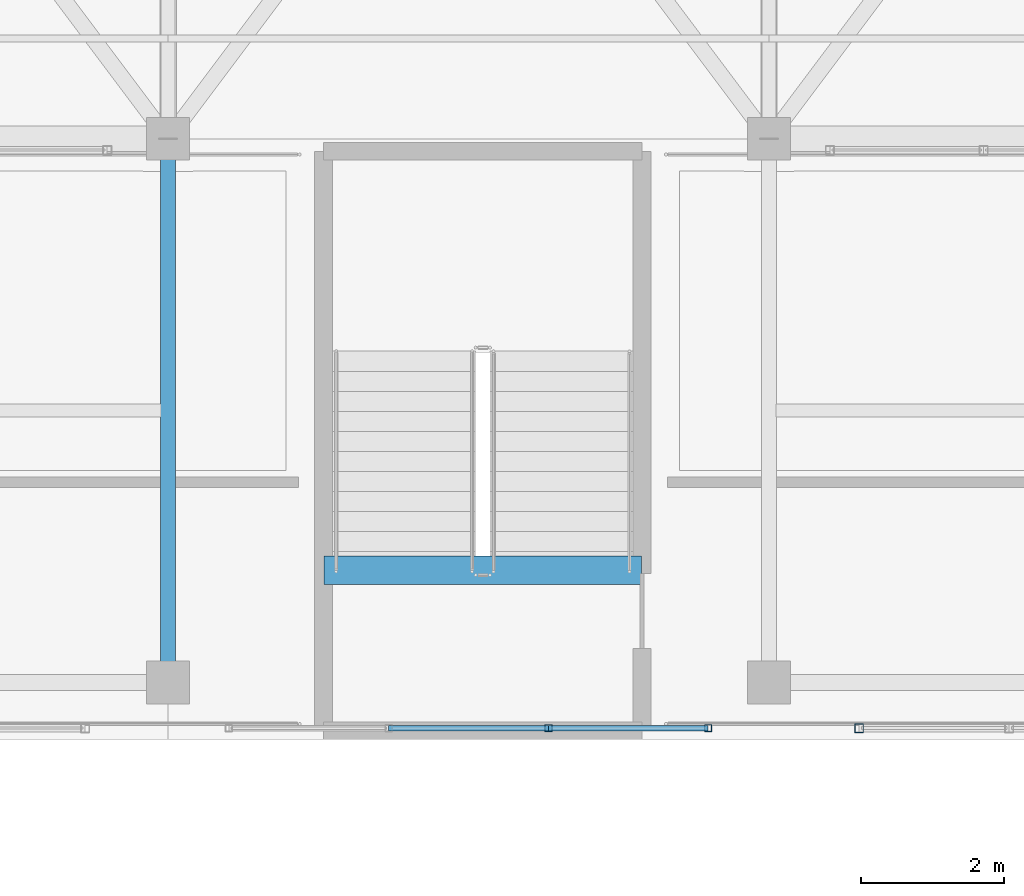
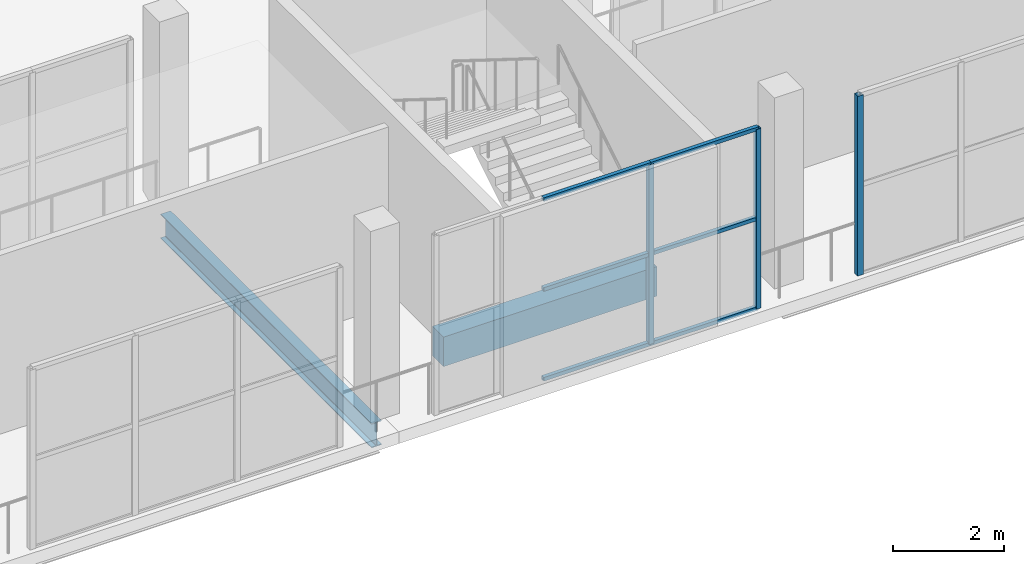
# One storey, part 71 of 217: 9 members, 2 beams, 2 elements without a shape of their own.
"""IFC4 building model written with IfcOpenShell, lengths in metres."""

from ifc_helpers import new_model, si_unit, direction, frame, origin, origin_2d, place, context, subcontext, project, spatial, rectangle, hollow_rectangle, i_section, extrude, material, material_profile, profile_set, type_object, element, aggregate, save


model = new_model("IFC4")

# Units and contexts
model_context = context("Model", 3, precision=1e-05, world=origin(), true_north=direction((0.0, 1.0)))
body_context = subcontext(model_context, "Body", "Model", "MODEL_VIEW")
ifc_project = project(units=[si_unit("LENGTHUNIT", "METRE"), si_unit("AREAUNIT", "SQUARE_METRE"), si_unit("VOLUMEUNIT", "CUBIC_METRE"), si_unit("PLANEANGLEUNIT", "RADIAN"), si_unit("MASSUNIT", "GRAM", prefix="KILO")], contexts=[model_context])

# Site, building, storey
site_placement = place(None, origin())
site = spatial("IfcSite", under=ifc_project, at=site_placement, CompositionType="ELEMENT")
building_placement = place(site_placement, origin())
building = spatial("IfcBuilding", under=site, at=building_placement, Name="Zuvorla Pavilion Media Centre", CompositionType="ELEMENT")
storey_placement = place(building_placement, frame((0.0, 0.0, 9.60009765625)))
storey = spatial("IfcBuildingStorey", under=building, at=storey_placement, Name="L02", CompositionType="ELEMENT", Elevation=9.60009765625)

# Beams
ifc_material_1 = material(Name="Concrete C40/50", Category="concrete")
ifc_material_profile_1 = material_profile(ifc_material_1, rectangle(XDim=0.39990234375, YDim=0.64990234375, at=origin_2d()), Name="RC 400x650")
ifc_profile_set_1 = profile_set([ifc_material_profile_1], Name="Concrete C40/50")
beam_type_1 = type_object("IfcBeamType", Name="BM-RC-650", PredefinedType="BEAM", material=ifc_profile_set_1)
beam_1_placement = place(storey_placement, frame((94.179931640625, 83.570068359375, -0.32421875), z_axis=(1.0, 0.0, 0.0), x_axis=(0.0, 1.0, 0.0)))
element("IfcBeam", 1, at=beam_1_placement, inside=storey, type_object=beam_type_1, Name="L02 ST-05 landing trimmer beam", PredefinedType="BEAM", context=body_context, shape_type="SweptSolid", body=[
    extrude(rectangle(XDim=0.39990234375, YDim=0.64990234375, at=origin_2d()), origin(), (0.0, 0.0, 1.0), 4.440185546875),
])
ifc_material_2 = material(Name="Steel S355", Category="steel")
ifc_material_profile_2 = material_profile(ifc_material_2, i_section(OverallWidth=0.2099609375, OverallDepth=0.53662109375, WebThickness=0.0107421875, FlangeThickness=0.017333984375, FilletRadius=0.0126953125, at=origin_2d()), Name="UB 533x210x101")
ifc_profile_set_2 = profile_set([ifc_material_profile_2], Name="Steel S355")
beam_type_2 = type_object("IfcBeamType", Name="BM-UB533", PredefinedType="BEAM", material=ifc_profile_set_2)
beam_2_placement = place(storey_placement, frame((92.0, 82.0, -0.536376953125), z_axis=(0.0, 1.0, 0.0), x_axis=(-1.0, 0.0, 0.0)))
element("IfcBeam", 2, at=beam_2_placement, inside=storey, type_object=beam_type_2, Name="L02 beam B08 946", PredefinedType="BEAM", context=body_context, shape_type="SweptSolid", body=[
    extrude(i_section(OverallWidth=0.2099609375, OverallDepth=0.53662109375, WebThickness=0.0107421875, FlangeThickness=0.017333984375, FilletRadius=0.0126953125, at=origin_2d()), origin(), (0.0, 0.0, 1.0), 7.60009765625),
])

# Curtain wall, members
ifc_material_3 = material(Name="Unitised anodised aluminium and solar glass curtain wall", Category="aluminium")
curtain_wall_type_1 = type_object("IfcCurtainWallType", Name="CW-SYS-49", PredefinedType="USERDEFINED", material=ifc_material_3)
curtain_wall_1_placement = place(storey_placement, origin())
curtain_wall_1 = element("IfcCurtainWall", 3, at=curtain_wall_1_placement, inside=storey, type_object=curtain_wall_type_1, Name="L02 curtain wall CW49 70", ObjectType="CURTAIN WALL", PredefinedType="USERDEFINED")
ifc_material_4 = material(Name="Anodised aluminium 6063-T6", Category="aluminium")
ifc_material_profile_3 = material_profile(ifc_material_4, hollow_rectangle(XDim=0.10009765625, YDim=0.10009765625, WallThickness=0.00439453125, at=origin_2d()), Name="ALU MULL 100x100")
ifc_profile_set_3 = profile_set([ifc_material_profile_3], Name="Anodised aluminium 6063-T6")
member_type_1 = type_object("IfcMemberType", Name="CW-MULL-100", PredefinedType="MULLION", material=ifc_profile_set_3)
member_1_placement = place(storey_placement, frame((99.5498046875, 81.360107421875, 0.0), z_axis=(0.0, 0.0, 1.0), x_axis=(1.0, 0.0, 0.0)))
member_1 = element("IfcMember", 4, at=member_1_placement, type_object=member_type_1, Name="CW49 mullion 1", PredefinedType="MULLION", context=body_context, shape_type="SweptSolid", body=[
    extrude(hollow_rectangle(XDim=0.10009765625, YDim=0.10009765625, WallThickness=0.00439453125, at=origin_2d()), origin(), (0.0, 0.0, 1.0), 3.949951171875),
])
member_2_placement = place(storey_placement, frame((97.316650390625, 81.360107421875, 0.0), z_axis=(0.0, 0.0, 1.0), x_axis=(1.0, 0.0, 0.0)))
member_2 = element("IfcMember", 5, at=member_2_placement, type_object=member_type_1, Name="CW49 mullion 2", PredefinedType="MULLION", context=body_context, shape_type="SweptSolid", body=[
    extrude(hollow_rectangle(XDim=0.10009765625, YDim=0.10009765625, WallThickness=0.00439453125, at=origin_2d()), origin(), (0.0, 0.0, 1.0), 3.949951171875),
])

# Curtain wall, member
curtain_wall_type_2 = type_object("IfcCurtainWallType", Name="CW-SYS-12", PredefinedType="USERDEFINED", material=ifc_material_3)
curtain_wall_2_placement = place(storey_placement, origin())
curtain_wall_2 = element("IfcCurtainWall", 6, at=curtain_wall_2_placement, inside=storey, type_object=curtain_wall_type_2, Name="L02 curtain wall CW12 74", ObjectType="CURTAIN WALL", PredefinedType="USERDEFINED")
ifc_material_profile_4 = material_profile(ifc_material_4, hollow_rectangle(XDim=0.1201171875, YDim=0.1201171875, WallThickness=0.0048828125, at=origin_2d()), Name="ALU MULL 120x120")
ifc_profile_set_4 = profile_set([ifc_material_profile_4], Name="Anodised aluminium 6063-T6")
member_type_2 = type_object("IfcMemberType", Name="CW-MULL-120", PredefinedType="MULLION", material=ifc_profile_set_4)
member_3_placement = place(storey_placement, frame((101.659912109375, 81.360107421875, 0.0), z_axis=(0.0, 0.0, 1.0), x_axis=(1.0, 0.0, 0.0)))
member_3 = element("IfcMember", 7, at=member_3_placement, type_object=member_type_2, Name="CW12 mullion 4", PredefinedType="MULLION", context=body_context, shape_type="SweptSolid", body=[
    extrude(hollow_rectangle(XDim=0.1201171875, YDim=0.1201171875, WallThickness=0.0048828125, at=origin_2d()), origin(), (0.0, 0.0, 1.0), 3.949951171875),
])
aggregate(curtain_wall_2, [member_3])

# Member
ifc_material_profile_5 = material_profile(ifc_material_4, hollow_rectangle(XDim=0.080078125, YDim=0.080078125, WallThickness=0.00390625, at=origin_2d()), Name="ALU TRAN 80x80")
ifc_profile_set_5 = profile_set([ifc_material_profile_5], Name="Anodised aluminium 6063-T6")
member_type_3 = type_object("IfcMemberType", Name="CW-TRAN-80", PredefinedType="USERDEFINED", material=ifc_profile_set_5)
member_4_placement = place(storey_placement, frame((99.5498046875, 81.360107421875, 0.0), z_axis=(-1.0, 0.0, 0.0), x_axis=(0.0, -1.0, 0.0)))
member_4 = element("IfcMember", 8, at=member_4_placement, type_object=member_type_3, Name="CW49 transom 1.1", ObjectType="TRANSOM", PredefinedType="USERDEFINED", context=body_context, shape_type="SweptSolid", body=[
    extrude(hollow_rectangle(XDim=0.080078125, YDim=0.080078125, WallThickness=0.00390625, at=origin_2d()), origin(), (0.0, 0.0, 1.0), 2.233154296875),
])

member_5_placement = place(storey_placement, frame((99.5498046875, 81.360107421875, 1.974853515625), z_axis=(-1.0, 0.0, 0.0), x_axis=(0.0, -1.0, 0.0)))
member_5 = element("IfcMember", 9, at=member_5_placement, type_object=member_type_3, Name="CW49 transom 1.2", ObjectType="TRANSOM", PredefinedType="USERDEFINED", context=body_context, shape_type="SweptSolid", body=[
    extrude(hollow_rectangle(XDim=0.080078125, YDim=0.080078125, WallThickness=0.00390625, at=origin_2d()), origin(), (0.0, 0.0, 1.0), 2.233154296875),
])

member_6_placement = place(storey_placement, frame((99.5498046875, 81.360107421875, 3.949951171875), z_axis=(-1.0, 0.0, 0.0), x_axis=(0.0, -1.0, 0.0)))
member_6 = element("IfcMember", 10, at=member_6_placement, type_object=member_type_3, Name="CW49 transom 1.3", ObjectType="TRANSOM", PredefinedType="USERDEFINED", context=body_context, shape_type="SweptSolid", body=[
    extrude(hollow_rectangle(XDim=0.080078125, YDim=0.080078125, WallThickness=0.00390625, at=origin_2d()), origin(), (0.0, 0.0, 1.0), 2.233154296875),
])

member_7_placement = place(storey_placement, frame((97.316650390625, 81.360107421875, 0.0), z_axis=(-1.0, 0.0, 0.0), x_axis=(0.0, -1.0, 0.0)))
member_7 = element("IfcMember", 11, at=member_7_placement, type_object=member_type_3, Name="CW49 transom 2.1", ObjectType="TRANSOM", PredefinedType="USERDEFINED", context=body_context, shape_type="SweptSolid", body=[
    extrude(hollow_rectangle(XDim=0.080078125, YDim=0.080078125, WallThickness=0.00390625, at=origin_2d()), origin(), (0.0, 0.0, 1.0), 2.233154296875),
])

member_8_placement = place(storey_placement, frame((97.316650390625, 81.360107421875, 1.974853515625), z_axis=(-1.0, 0.0, 0.0), x_axis=(0.0, -1.0, 0.0)))
member_8 = element("IfcMember", 12, at=member_8_placement, type_object=member_type_3, Name="CW49 transom 2.2", ObjectType="TRANSOM", PredefinedType="USERDEFINED", context=body_context, shape_type="SweptSolid", body=[
    extrude(hollow_rectangle(XDim=0.080078125, YDim=0.080078125, WallThickness=0.00390625, at=origin_2d()), origin(), (0.0, 0.0, 1.0), 2.233154296875),
])

member_9_placement = place(storey_placement, frame((97.316650390625, 81.360107421875, 3.949951171875), z_axis=(-1.0, 0.0, 0.0), x_axis=(0.0, -1.0, 0.0)))
member_9 = element("IfcMember", 13, at=member_9_placement, type_object=member_type_3, Name="CW49 transom 2.3", ObjectType="TRANSOM", PredefinedType="USERDEFINED", context=body_context, shape_type="SweptSolid", body=[
    extrude(hollow_rectangle(XDim=0.080078125, YDim=0.080078125, WallThickness=0.00390625, at=origin_2d()), origin(), (0.0, 0.0, 1.0), 2.233154296875),
])

aggregate(curtain_wall_1, [member_1, member_2, member_4, member_5, member_6, member_7, member_8, member_9])

save(model, "model.ifc")
